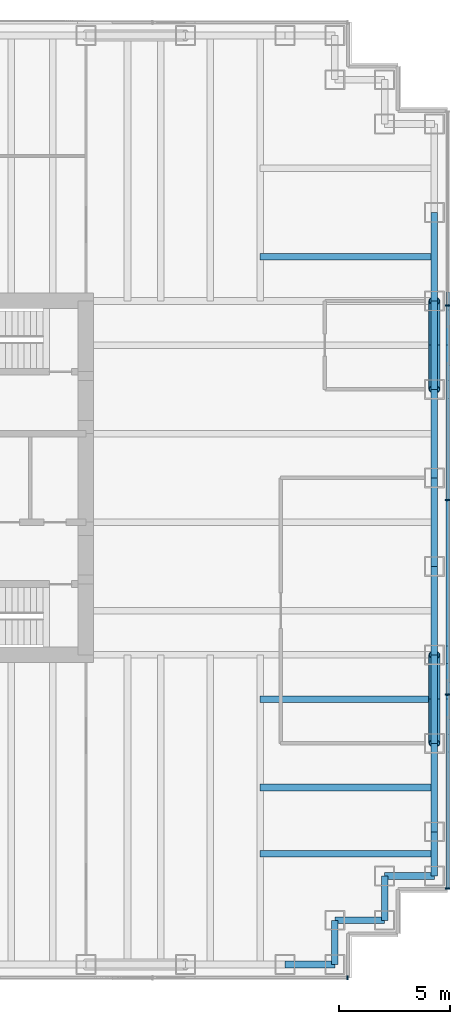
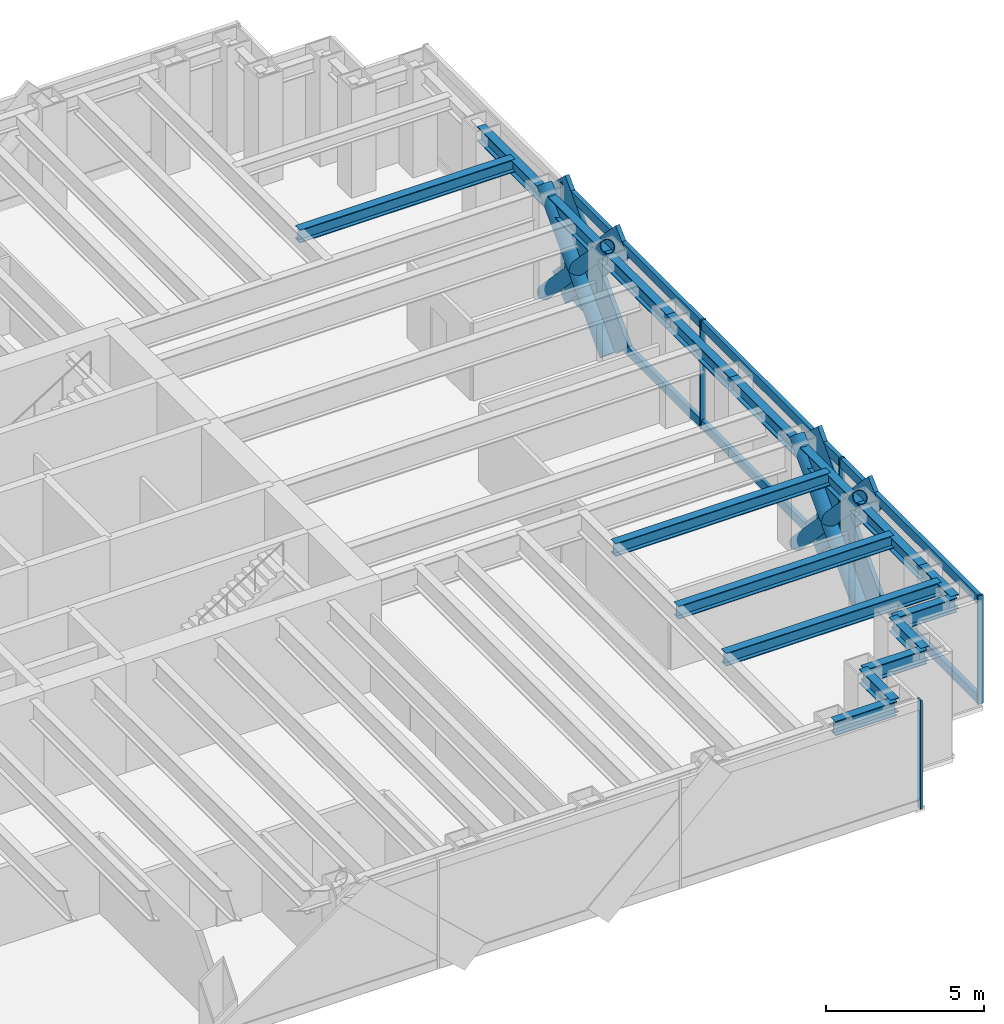
# One storey, part 8 of 17: 19 members, 17 beams, 2 elements without a shape of their own.
"""IFC4 building model written with IfcOpenShell, lengths in metres."""

from ifc_helpers import new_model, si_unit, direction, frame, origin, origin_2d, place, context, subcontext, project, spatial, rectangle, hollow_circle, i_section, extrude, material, material_profile, profile_set, type_object, element, aggregate, save


model = new_model("IFC4")

# Units and contexts
model_context = context("Model", 3, precision=1e-05, world=origin(), true_north=direction((0.0, 1.0)))
body_context = subcontext(model_context, "Body", "Model", "MODEL_VIEW")
ifc_project = project(units=[si_unit("LENGTHUNIT", "METRE"), si_unit("AREAUNIT", "SQUARE_METRE"), si_unit("VOLUMEUNIT", "CUBIC_METRE"), si_unit("PLANEANGLEUNIT", "RADIAN"), si_unit("MASSUNIT", "GRAM", prefix="KILO")], contexts=[model_context])

# Site, building, storey
site_placement = place(None, origin())
site = spatial("IfcSite", under=ifc_project, at=site_placement, CompositionType="ELEMENT")
building_placement = place(site_placement, origin())
building = spatial("IfcBuilding", under=site, at=building_placement, Name="Rheinbord Bourse Tower", CompositionType="ELEMENT")
storey_placement = place(building_placement, frame((0.0, 0.0, 321.5)))
storey = spatial("IfcBuildingStorey", under=building, at=storey_placement, Name="L73", CompositionType="ELEMENT", Elevation=321.5)

# Curtain wall, members
ifc_material_1 = material(Name="Dark glass and black aluminium", Category="aluminium")
curtain_wall_type = type_object("IfcCurtainWallType", Name="CW3 DARK GLASS CURTAIN WALL", PredefinedType="USERDEFINED", material=ifc_material_1)
curtain_wall_1_placement = place(storey_placement, origin())
curtain_wall_1 = element("IfcCurtainWall", 1, at=curtain_wall_1_placement, inside=storey, type_object=curtain_wall_type, Name="Curtain wall CW3 E L73", ObjectType="UNITISED CURTAIN WALL", PredefinedType="USERDEFINED")
ifc_material_2 = material(Name="Black anodised aluminium", Category="aluminium")
ifc_material_profile_1 = material_profile(ifc_material_2, rectangle(XDim=0.14990234375, YDim=1.10791015625, at=origin_2d()), Name="CW3 DIAGONAL MULLION 1108x150")
ifc_profile_set_1 = profile_set([ifc_material_profile_1], Name="Black anodised aluminium")
member_type_1 = type_object("IfcMemberType", Name="CW3 BLACK DIAGONAL MULLION", PredefinedType="USERDEFINED", material=ifc_profile_set_1)
member_1_placement = place(storey_placement, frame((70.35009765625, 12.0, 0.0), z_axis=(0.0, 0.689659376744, 0.724133926887), x_axis=(-1.0, 0.0, 0.0)))
member_1 = element("IfcMember", 2, at=member_1_placement, type_object=member_type_1, Name="CW3 diagonal mullion a", ObjectType="DIAGONAL MULLION", PredefinedType="USERDEFINED", context=body_context, shape_type="SweptSolid", body=[
    extrude(rectangle(XDim=0.14990234375, YDim=1.10791015625, at=origin_2d()), origin(), (0.0, 0.0, 1.0), 5.800048828125),
])
member_2_placement = place(storey_placement, frame((70.35009765625, 32.0, 0.0), z_axis=(0.0, -0.689659376744, 0.724133926887), x_axis=(1.0, 0.0, 0.0)))
member_2 = element("IfcMember", 3, at=member_2_placement, type_object=member_type_1, Name="CW3 diagonal mullion b", ObjectType="DIAGONAL MULLION", PredefinedType="USERDEFINED", context=body_context, shape_type="SweptSolid", body=[
    extrude(rectangle(XDim=0.14990234375, YDim=1.10791015625, at=origin_2d()), origin(), (0.0, 0.0, 1.0), 5.800048828125),
])
member_3_placement = place(storey_placement, frame((70.35009765625, 28.0, 0.0), z_axis=(0.0, 0.689659376744, 0.724133926887), x_axis=(-1.0, 0.0, 0.0)))
member_3 = element("IfcMember", 4, at=member_3_placement, type_object=member_type_1, Name="CW3 diagonal mullion c", ObjectType="DIAGONAL MULLION", PredefinedType="USERDEFINED", context=body_context, shape_type="SweptSolid", body=[
    extrude(rectangle(XDim=0.14990234375, YDim=1.10791015625, at=origin_2d()), origin(), (0.0, 0.0, 1.0), 5.800048828125),
])
member_4_placement = place(storey_placement, frame((70.35009765625, 16.0, 0.0), z_axis=(0.0, -0.689659376744, 0.724133926887), x_axis=(1.0, 0.0, 0.0)))
member_4 = element("IfcMember", 5, at=member_4_placement, type_object=member_type_1, Name="CW3 diagonal mullion d", ObjectType="DIAGONAL MULLION", PredefinedType="USERDEFINED", context=body_context, shape_type="SweptSolid", body=[
    extrude(rectangle(XDim=0.14990234375, YDim=1.10791015625, at=origin_2d()), origin(), (0.0, 0.0, 1.0), 5.800048828125),
])

# Curtain wall, member
curtain_wall_2_placement = place(storey_placement, origin())
curtain_wall_2 = element("IfcCurtainWall", 6, at=curtain_wall_2_placement, inside=storey, type_object=curtain_wall_type, Name="Curtain wall CW3 S L73", ObjectType="UNITISED CURTAIN WALL", PredefinedType="USERDEFINED")
ifc_material_3 = material(Name="Black anodised aluminium", Category="aluminium")
ifc_material_profile_2 = material_profile(ifc_material_3, rectangle(XDim=0.199951171875, YDim=0.06494140625, at=origin_2d()), Name="CW3 MULLION 65x200")
ifc_profile_set_2 = profile_set([ifc_material_profile_2], Name="Black anodised aluminium")
member_type_2 = type_object("IfcMemberType", Name="CW3 BLACK MULLION", PredefinedType="MULLION", material=ifc_profile_set_2)
member_5_placement = place(storey_placement, frame((65.8173828125, 1.39990234375, 0.0), z_axis=(0.0, 0.0, 1.0), x_axis=(0.0, 1.0, 0.0)))
member_5 = element("IfcMember", 7, at=member_5_placement, type_object=member_type_2, Name="CW3 mullion 8", PredefinedType="MULLION", context=body_context, shape_type="SweptSolid", body=[
    extrude(rectangle(XDim=0.199951171875, YDim=0.06494140625, at=origin_2d()), origin(), (0.0, 0.0, 1.0), 4.199951171875),
])
aggregate(curtain_wall_2, [member_5])

# Member
member_6_placement = place(storey_placement, frame((70.35009765625, 5.4326171875, 0.0), z_axis=(0.0, 0.0, 1.0), x_axis=(-1.0, 0.0, 0.0)))
member_6 = element("IfcMember", 8, at=member_6_placement, type_object=member_type_2, Name="CW3 mullion 1", PredefinedType="MULLION", context=body_context, shape_type="SweptSolid", body=[
    extrude(rectangle(XDim=0.199951171875, YDim=0.06494140625, at=origin_2d()), origin(), (0.0, 0.0, 1.0), 4.199951171875),
])

member_7_placement = place(storey_placement, frame((70.35009765625, 14.199951171875, 0.0), z_axis=(0.0, 0.0, 1.0), x_axis=(-1.0, 0.0, 0.0)))
member_7 = element("IfcMember", 9, at=member_7_placement, type_object=member_type_2, Name="CW3 mullion 2", PredefinedType="MULLION", context=body_context, shape_type="SweptSolid", body=[
    extrude(rectangle(XDim=0.199951171875, YDim=0.06494140625, at=origin_2d()), origin(), (0.0, 0.0, 1.0), 4.199951171875),
])

member_8_placement = place(storey_placement, frame((70.35009765625, 23.0, 0.0), z_axis=(0.0, 0.0, 1.0), x_axis=(-1.0, 0.0, 0.0)))
member_8 = element("IfcMember", 10, at=member_8_placement, type_object=member_type_2, Name="CW3 mullion 3", PredefinedType="MULLION", context=body_context, shape_type="SweptSolid", body=[
    extrude(rectangle(XDim=0.199951171875, YDim=0.06494140625, at=origin_2d()), origin(), (0.0, 0.0, 1.0), 4.199951171875),
])

member_9_placement = place(storey_placement, frame((70.35009765625, 31.800048828125, 0.0), z_axis=(0.0, 0.0, 1.0), x_axis=(-1.0, 0.0, 0.0)))
member_9 = element("IfcMember", 11, at=member_9_placement, type_object=member_type_2, Name="CW3 mullion 4", PredefinedType="MULLION", context=body_context, shape_type="SweptSolid", body=[
    extrude(rectangle(XDim=0.199951171875, YDim=0.06494140625, at=origin_2d()), origin(), (0.0, 0.0, 1.0), 4.199951171875),
])

ifc_material_4 = material(Name="Black anodised aluminium", Category="aluminium")
ifc_material_profile_3 = material_profile(ifc_material_4, rectangle(XDim=0.14990234375, YDim=0.35009765625, at=origin_2d()), Name="CW3 TRANSOM 350x150")
ifc_profile_set_3 = profile_set([ifc_material_profile_3], Name="Black anodised aluminium")
member_type_3 = type_object("IfcMemberType", Name="CW3 BLACK TRANSOM", PredefinedType="USERDEFINED", material=ifc_profile_set_3)
member_10_placement = place(storey_placement, frame((70.35009765625, 5.465087890625, 0.175048828125), z_axis=(0.0, 1.0, 0.0), x_axis=(-1.0, 0.0, 0.0)))
member_10 = element("IfcMember", 12, at=member_10_placement, type_object=member_type_3, Name="CW3 transom 1.1", ObjectType="TRANSOM", PredefinedType="USERDEFINED", context=body_context, shape_type="SweptSolid", body=[
    extrude(rectangle(XDim=0.14990234375, YDim=0.35009765625, at=origin_2d()), origin(), (0.0, 0.0, 1.0), 8.702392578125),
])

member_11_placement = place(storey_placement, frame((70.35009765625, 5.465087890625, 4.02490234375), z_axis=(0.0, 1.0, 0.0), x_axis=(-1.0, 0.0, 0.0)))
member_11 = element("IfcMember", 13, at=member_11_placement, type_object=member_type_3, Name="CW3 transom 1.2", ObjectType="TRANSOM", PredefinedType="USERDEFINED", context=body_context, shape_type="SweptSolid", body=[
    extrude(rectangle(XDim=0.14990234375, YDim=0.35009765625, at=origin_2d()), origin(), (0.0, 0.0, 1.0), 8.702392578125),
])

member_12_placement = place(storey_placement, frame((70.35009765625, 14.232421875, 0.175048828125), z_axis=(0.0, 1.0, 0.0), x_axis=(-1.0, 0.0, 0.0)))
member_12 = element("IfcMember", 14, at=member_12_placement, type_object=member_type_3, Name="CW3 transom 2.1", ObjectType="TRANSOM", PredefinedType="USERDEFINED", context=body_context, shape_type="SweptSolid", body=[
    extrude(rectangle(XDim=0.14990234375, YDim=0.35009765625, at=origin_2d()), origin(), (0.0, 0.0, 1.0), 8.735107421875),
])

member_13_placement = place(storey_placement, frame((70.35009765625, 14.232421875, 4.02490234375), z_axis=(0.0, 1.0, 0.0), x_axis=(-1.0, 0.0, 0.0)))
member_13 = element("IfcMember", 15, at=member_13_placement, type_object=member_type_3, Name="CW3 transom 2.2", ObjectType="TRANSOM", PredefinedType="USERDEFINED", context=body_context, shape_type="SweptSolid", body=[
    extrude(rectangle(XDim=0.14990234375, YDim=0.35009765625, at=origin_2d()), origin(), (0.0, 0.0, 1.0), 8.735107421875),
])

member_14_placement = place(storey_placement, frame((70.35009765625, 23.032470703125, 0.175048828125), z_axis=(0.0, 1.0, 0.0), x_axis=(-1.0, 0.0, 0.0)))
member_14 = element("IfcMember", 16, at=member_14_placement, type_object=member_type_3, Name="CW3 transom 3.1", ObjectType="TRANSOM", PredefinedType="USERDEFINED", context=body_context, shape_type="SweptSolid", body=[
    extrude(rectangle(XDim=0.14990234375, YDim=0.35009765625, at=origin_2d()), origin(), (0.0, 0.0, 1.0), 8.735107421875),
])

member_15_placement = place(storey_placement, frame((70.35009765625, 23.032470703125, 4.02490234375), z_axis=(0.0, 1.0, 0.0), x_axis=(-1.0, 0.0, 0.0)))
member_15 = element("IfcMember", 17, at=member_15_placement, type_object=member_type_3, Name="CW3 transom 3.2", ObjectType="TRANSOM", PredefinedType="USERDEFINED", context=body_context, shape_type="SweptSolid", body=[
    extrude(rectangle(XDim=0.14990234375, YDim=0.35009765625, at=origin_2d()), origin(), (0.0, 0.0, 1.0), 8.735107421875),
])

aggregate(curtain_wall_1, [member_6, member_7, member_8, member_9, member_10, member_11, member_12, member_13, member_14, member_15, member_1, member_2, member_3, member_4])

# Members
ifc_material_5 = material(Name="Steel S460", Category="steel")
ifc_material_profile_4 = material_profile(ifc_material_5, hollow_circle(Radius=0.25390625, WallThickness=0.030029296875, at=origin_2d()), Name="CHS 508x30")
ifc_profile_set_4 = profile_set([ifc_material_profile_4], Name="Steel S460")
member_type_4 = type_object("IfcMemberType", Name="MEGABRACE CHS 508x30", PredefinedType="BRACE", material=ifc_profile_set_4)
for number, where, z_axis, x_axis, name in (
    (18, (69.75, 12.0, 0.0), (0.0, 0.689659376744, 0.724133926887), (-1.0, 0.0, 0.0), "Megabrace E face line a L73"),
    (19, (69.75, 32.0, 0.0), (0.0, -0.689659376744, 0.724133926887), (1.0, 0.0, 0.0), "Megabrace E face line b L73"),
    (20, (69.75, 28.0, 0.0), (0.0, 0.689659376744, 0.724133926887), (-1.0, 0.0, 0.0), "Megabrace E face line c L73"),
    (21, (69.75, 16.0, 0.0), (0.0, -0.689659376744, 0.724133926887), (1.0, 0.0, 0.0), "Megabrace E face line d L73"),
):
    element("IfcMember", number, at=place(storey_placement, frame(where, z_axis=z_axis, x_axis=x_axis)), inside=storey, type_object=member_type_4, Name=name, PredefinedType="BRACE", context=body_context, shape_type="SweptSolid", body=[
        extrude(hollow_circle(Radius=0.25390625, WallThickness=0.030029296875, at=origin_2d()), origin(), (0.0, 0.0, 1.0), 5.800048828125),
    ])

# Beams
ifc_material_6 = material(Name="Steel S460", Category="steel")
ifc_material_profile_5 = material_profile(ifc_material_6, i_section(OverallWidth=0.300048828125, OverallDepth=0.550048828125, WebThickness=0.014892578125, FlangeThickness=0.029052734375, at=origin_2d()), Name="HEB 550")
ifc_profile_set_5 = profile_set([ifc_material_profile_5], Name="Steel S460")
beam_type_1 = type_object("IfcBeamType", Name="SPANDREL HEB 550", PredefinedType="SPANDREL", material=ifc_profile_set_5)
beam_1_placement = place(storey_placement, frame((63.0, 2.0, 3.764892578125), z_axis=(1.0, 0.0, 0.0), x_axis=(0.0, 1.0, 0.0)))
element("IfcBeam", 22, at=beam_1_placement, inside=storey, type_object=beam_type_1, Name="Spandrel S-63-SE-E under L74", PredefinedType="SPANDREL", context=body_context, shape_type="SweptSolid", body=[
    extrude(i_section(OverallWidth=0.300048828125, OverallDepth=0.550048828125, WebThickness=0.014892578125, FlangeThickness=0.029052734375, at=origin_2d()), origin(), (0.0, 0.0, 1.0), 2.25),
])
beam_2_placement = place(storey_placement, frame((65.25, 2.0, 3.764892578125), z_axis=(0.0, 1.0, 0.0), x_axis=(-1.0, 0.0, 0.0)))
element("IfcBeam", 23, at=beam_2_placement, inside=storey, type_object=beam_type_1, Name="Spandrel SE-E-SE-D under L74", PredefinedType="SPANDREL", context=body_context, shape_type="SweptSolid", body=[
    extrude(i_section(OverallWidth=0.300048828125, OverallDepth=0.550048828125, WebThickness=0.014892578125, FlangeThickness=0.029052734375, at=origin_2d()), origin(), (0.0, 0.0, 1.0), 2.0),
])
beam_3_placement = place(storey_placement, frame((65.25, 4.0, 3.764892578125), z_axis=(1.0, 0.0, 0.0), x_axis=(0.0, 1.0, 0.0)))
element("IfcBeam", 24, at=beam_3_placement, inside=storey, type_object=beam_type_1, Name="Spandrel SE-D-SE-C under L74", PredefinedType="SPANDREL", context=body_context, shape_type="SweptSolid", body=[
    extrude(i_section(OverallWidth=0.300048828125, OverallDepth=0.550048828125, WebThickness=0.014892578125, FlangeThickness=0.029052734375, at=origin_2d()), origin(), (0.0, 0.0, 1.0), 2.25),
])
beam_4_placement = place(storey_placement, frame((67.5, 4.0, 3.764892578125), z_axis=(0.0, 1.0, 0.0), x_axis=(-1.0, 0.0, 0.0)))
element("IfcBeam", 25, at=beam_4_placement, inside=storey, type_object=beam_type_1, Name="Spandrel SE-C-SE-B under L74", PredefinedType="SPANDREL", context=body_context, shape_type="SweptSolid", body=[
    extrude(i_section(OverallWidth=0.300048828125, OverallDepth=0.550048828125, WebThickness=0.014892578125, FlangeThickness=0.029052734375, at=origin_2d()), origin(), (0.0, 0.0, 1.0), 2.0),
])
beam_5_placement = place(storey_placement, frame((67.5, 6.0, 3.764892578125), z_axis=(1.0, 0.0, 0.0), x_axis=(0.0, 1.0, 0.0)))
element("IfcBeam", 26, at=beam_5_placement, inside=storey, type_object=beam_type_1, Name="Spandrel SE-B-SE-A under L74", PredefinedType="SPANDREL", context=body_context, shape_type="SweptSolid", body=[
    extrude(i_section(OverallWidth=0.300048828125, OverallDepth=0.550048828125, WebThickness=0.014892578125, FlangeThickness=0.029052734375, at=origin_2d()), origin(), (0.0, 0.0, 1.0), 2.25),
])
beam_6_placement = place(storey_placement, frame((69.75, 6.0, 3.764892578125), z_axis=(0.0, 1.0, 0.0), x_axis=(-1.0, 0.0, 0.0)))
element("IfcBeam", 27, at=beam_6_placement, inside=storey, type_object=beam_type_1, Name="Spandrel SE-A-E-8 under L74", PredefinedType="SPANDREL", context=body_context, shape_type="SweptSolid", body=[
    extrude(i_section(OverallWidth=0.300048828125, OverallDepth=0.550048828125, WebThickness=0.014892578125, FlangeThickness=0.029052734375, at=origin_2d()), origin(), (0.0, 0.0, 1.0), 2.0),
])
for number, where, z_axis, x_axis, name in (
    (28, (69.75, 8.0, 3.764892578125), (0.0, 1.0, 0.0), (-1.0, 0.0, 0.0), "Spandrel E-8-E-12 under L74"),
    (29, (69.75, 12.0, 3.764892578125), (0.0, 1.0, 0.0), (-1.0, 0.0, 0.0), "Spandrel E-12-E-16 under L74"),
    (30, (69.75, 16.0, 3.764892578125), (0.0, 1.0, 0.0), (-1.0, 0.0, 0.0), "Spandrel E-16-E-20 under L74"),
    (31, (69.75, 20.0, 3.764892578125), (0.0, 1.0, 0.0), (-1.0, 0.0, 0.0), "Spandrel E-20-E-24 under L74"),
    (32, (69.75, 24.0, 3.764892578125), (0.0, 1.0, 0.0), (-1.0, 0.0, 0.0), "Spandrel E-24-E-28 under L74"),
    (33, (69.75, 28.0, 3.764892578125), (0.0, 1.0, 0.0), (-1.0, 0.0, 0.0), "Spandrel E-28-E-32 under L74"),
    (34, (69.75, 32.0, 3.764892578125), (0.0, 1.0, 0.0), (-1.0, 0.0, 0.0), "Spandrel E-32-E-36 under L74"),
):
    element("IfcBeam", number, at=place(storey_placement, frame(where, z_axis=z_axis, x_axis=x_axis)), inside=storey, type_object=beam_type_1, Name=name, PredefinedType="SPANDREL", context=body_context, shape_type="SweptSolid", body=[
        extrude(i_section(OverallWidth=0.300048828125, OverallDepth=0.550048828125, WebThickness=0.014892578125, FlangeThickness=0.029052734375, at=origin_2d()), origin(), (0.0, 0.0, 1.0), 4.0),
    ])
ifc_material_7 = material(Name="Steel S460", Category="steel")
ifc_material_profile_6 = material_profile(ifc_material_7, i_section(OverallWidth=0.300048828125, OverallDepth=0.5, WebThickness=0.014404296875, FlangeThickness=0.028076171875, at=origin_2d()), Name="HEB 500")
ifc_profile_set_6 = profile_set([ifc_material_profile_6], Name="Steel S460")
beam_type_2 = type_object("IfcBeamType", Name="TIE BEAM HEB 500", PredefinedType="JOIST", material=ifc_profile_set_6)
for number, where, z_axis, x_axis, name in (
    (35, (61.875, 7.0, 3.7900390625), (1.0, 0.0, 0.0), (0.0, 1.0, 0.0), "Tie east 7 L74"),
    (36, (61.875, 10.0, 3.7900390625), (1.0, 0.0, 0.0), (0.0, 1.0, 0.0), "Tie east 10 L74"),
    (37, (61.875, 14.0, 3.7900390625), (1.0, 0.0, 0.0), (0.0, 1.0, 0.0), "Tie east 14 L74"),
    (38, (61.875, 34.0, 3.7900390625), (1.0, 0.0, 0.0), (0.0, 1.0, 0.0), "Tie east 34 L74"),
):
    element("IfcBeam", number, at=place(storey_placement, frame(where, z_axis=z_axis, x_axis=x_axis)), inside=storey, type_object=beam_type_2, Name=name, PredefinedType="JOIST", context=body_context, shape_type="SweptSolid", body=[
        extrude(i_section(OverallWidth=0.300048828125, OverallDepth=0.5, WebThickness=0.014404296875, FlangeThickness=0.028076171875, at=origin_2d()), origin(), (0.0, 0.0, 1.0), 7.875),
    ])

save(model, "model.ifc")
